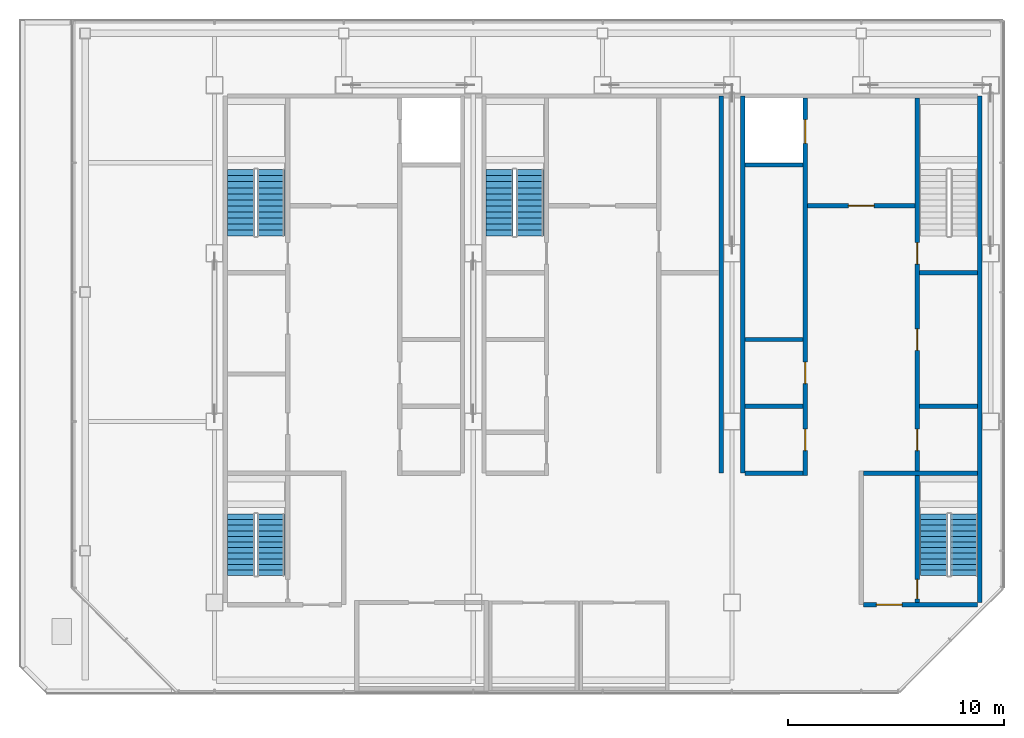
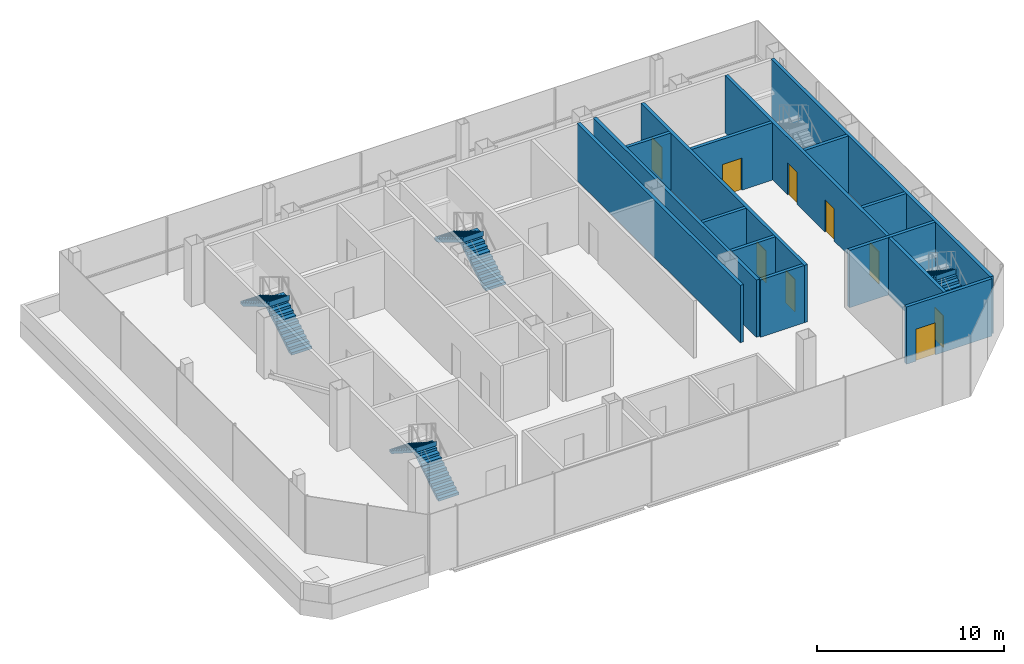
# One storey, part 9 of 11: 14 walls, 9 doors, 8 stair flights, 9 openings, 4 elements without a shape of their own.
"""IFC4 building model written with IfcOpenShell, lengths in metres."""

from ifc_helpers import new_model, si_unit, direction, frame, frame_2d, origin, place, context, subcontext, project, spatial, polyline, rectangle, outline, extrude, material, layer, layer_set, type_object, element, fill, aggregate, save


model = new_model("IFC4")

# Units and contexts
model_context = context("Model", 3, precision=1e-05, world=origin(), true_north=direction((0.0, 1.0)))
body_context = subcontext(model_context, "Body", "Model", "MODEL_VIEW")
ifc_project = project(units=[si_unit("LENGTHUNIT", "METRE"), si_unit("AREAUNIT", "SQUARE_METRE"), si_unit("VOLUMEUNIT", "CUBIC_METRE"), si_unit("PLANEANGLEUNIT", "RADIAN"), si_unit("MASSUNIT", "GRAM", prefix="KILO")], contexts=[model_context])

# Site, building, storey
site_placement = place(None, origin())
site = spatial("IfcSite", under=ifc_project, at=site_placement, CompositionType="ELEMENT")
building_placement = place(site_placement, origin())
building = spatial("IfcBuilding", under=site, at=building_placement, Name="Sorahane Residences", CompositionType="ELEMENT")
storey_placement = place(building_placement, frame((0.0, 0.0, 349.800048828125)))
storey = spatial("IfcBuildingStorey", under=building, at=storey_placement, Name="L83", CompositionType="ELEMENT", Elevation=349.800048828125)

# Walls
ifc_material_1 = material(Name="Concrete C30", Category="concrete")
ifc_layer_1 = layer(ifc_material_1, 0.199951171875)
ifc_layer_set_1 = layer_set([ifc_layer_1], Name="Core face wall 200 EI 180")
wall_type_1 = type_object("IfcWallType", Name="Core face wall 200 EI 180", PredefinedType="SOLIDWALL", material=ifc_layer_set_1)
wall_1_placement = place(storey_placement, frame((41.5, 21.60009765625, 0.0), z_axis=(0.0, 0.0, 1.0), x_axis=(0.0, 1.0, 0.0)))
element("IfcWall", 1, at=wall_1_placement, inside=storey, type_object=wall_type_1, Name="L83 core face wall", PredefinedType="SOLIDWALL", context=body_context, shape_type="SweptSolid", body=[
    extrude(rectangle(XDim=23.5, YDim=0.199951171875, at=frame_2d((11.75, 0.0))), origin(), (0.0, 0.0, 1.0), 3.75),
])
for number, where, z_axis, x_axis, name in (
    (2, (29.5, 27.60009765625, 0.0), (0.0, 0.0, 1.0), (0.0, 1.0, 0.0), "L83 core face wall"),
    (3, (30.5, 27.60009765625, 0.0), (0.0, 0.0, 1.0), (0.0, 1.0, 0.0), "L83 core face wall"),
):
    element("IfcWall", number, at=place(storey_placement, frame(where, z_axis=z_axis, x_axis=x_axis)), inside=storey, type_object=wall_type_1, Name=name, PredefinedType="SOLIDWALL", context=body_context, shape_type="SweptSolid", body=[
        extrude(rectangle(XDim=17.5, YDim=0.199951171875, at=frame_2d((8.75, 0.0))), origin(), (0.0, 0.0, 1.0), 3.75),
    ])

# Wall, opening, door
ifc_material_2 = material(Name="Concrete C30", Category="concrete")
ifc_layer_2 = layer(ifc_material_2, 0.199951171875)
ifc_layer_set_2 = layer_set([ifc_layer_2], Name="Front room wall 200 EI 120")
wall_type_2 = type_object("IfcWallType", Name="Front room wall 200 EI 120", PredefinedType="PARTITIONING", material=ifc_layer_set_2)
wall_2_placement = place(storey_placement, frame((33.5, 40.0, 0.0), z_axis=(0.0, 0.0, 1.0), x_axis=(1.0, 0.0, 0.0)))
wall_2 = element("IfcWall", 4, at=wall_2_placement, inside=storey, type_object=wall_type_2, Name="L83 front room wall", PredefinedType="PARTITIONING", context=body_context, shape_type="SweptSolid", body=[
    extrude(rectangle(XDim=5.0, YDim=0.199951171875, at=frame_2d((2.5, 0.0))), origin(), (0.0, 0.0, 1.0), 3.75),
])
opening_1_placement = place(wall_2_placement, frame((1.89990234375, 0.0, 0.0)))
opening_1 = element("IfcOpeningElement", 5, at=opening_1_placement, cuts=wall_2, Name="Opening L83-C05", PredefinedType="OPENING", context=body_context, shape_type="SweptSolid", body=[
    extrude(rectangle(XDim=1.199951171875, YDim=2.10009765625, at=frame_2d((0.60009765625, 1.050048828125))), frame((0.0, 0.10986328125, 0.0), z_axis=(0.0, -1.0, 0.0), x_axis=(1.0, 0.0, 0.0)), (0.0, 0.0, 1.0), 0.219970703125),
])
ifc_material_3 = material(Name="Steel", Category="steel")
door_type_1 = type_object("IfcDoorType", Name="Front room door 1200x2100 FD120", OperationType="NOTDEFINED", PredefinedType="DOOR", material=ifc_material_3)
door_1_placement = place(opening_1_placement, frame((1.199951171875, 0.0, 0.0), z_axis=(0.0, 0.0, 1.0), x_axis=(-1.0, 0.0, 0.0)))
door_1 = element("IfcDoor", 6, at=door_1_placement, inside=storey, type_object=door_type_1, Name="Front room door Firefighting lobby FF2 front room L83", OperationType="DOUBLE_DOOR_SINGLE_SWING", OverallHeight=2.10009765625, OverallWidth=1.199951171875, PredefinedType="DOOR", context=body_context, shape_type="SweptSolid", body=[
    extrude(rectangle(XDim=1.199951171875, YDim=2.10009765625, at=frame_2d((0.60009765625, 1.050048828125))), frame((0.0, 0.02490234375, 0.0), z_axis=(0.0, -1.0, 0.0), x_axis=(1.0, 0.0, 0.0)), (0.0, 0.0, 1.0), 0.050048828125),
])
fill(opening_1, door_1)

# Wall, openings, doors
ifc_material_4 = material(Name="Concrete C30", Category="concrete")
ifc_layer_3 = layer(ifc_material_4, 0.199951171875)
ifc_layer_set_3 = layer_set([ifc_layer_3], Name="Lift shaft wall 200 EI 120")
wall_type_3 = type_object("IfcWallType", Name="Lift shaft wall 200 EI 120", PredefinedType="SOLIDWALL", material=ifc_layer_set_3)
wall_3_placement = place(storey_placement, frame((33.39990234375, 27.5, 0.0), z_axis=(0.0, 0.0, 1.0), x_axis=(0.0, 1.0, 0.0)))
wall_3 = element("IfcWall", 7, at=wall_3_placement, inside=storey, type_object=wall_type_3, Name="L83 lift shaft wall", PredefinedType="SOLIDWALL", context=body_context, shape_type="SweptSolid", body=[
    extrude(rectangle(XDim=17.5, YDim=0.199951171875, at=frame_2d((8.75, 0.0))), origin(), (0.0, 0.0, 1.0), 3.75),
])
opening_2_placement = place(wall_3_placement, frame((15.39990234375, 0.0, 0.0)))
opening_2 = element("IfcOpeningElement", 8, at=opening_2_placement, cuts=wall_3, Name="Opening L83-C06", PredefinedType="OPENING", context=body_context, shape_type="SweptSolid", body=[
    extrude(rectangle(XDim=1.10009765625, YDim=2.10009765625, at=frame_2d((0.550048828125, 1.050048828125))), frame((0.0, 0.10986328125, 0.0), z_axis=(0.0, -1.0, 0.0), x_axis=(1.0, 0.0, 0.0)), (0.0, 0.0, 1.0), 0.219970703125),
])
opening_3_placement = place(wall_3_placement, frame((1.14990234375, 0.0, 0.0)))
opening_3 = element("IfcOpeningElement", 9, at=opening_3_placement, cuts=wall_3, Name="Opening L83-C12", PredefinedType="OPENING", context=body_context, shape_type="SweptSolid", body=[
    extrude(rectangle(XDim=1.0, YDim=2.10009765625, at=frame_2d((0.5, 1.050048828125))), frame((0.0, 0.10986328125, 0.0), z_axis=(0.0, -1.0, 0.0), x_axis=(1.0, 0.0, 0.0)), (0.0, 0.0, 1.0), 0.219970703125),
])
opening_4_placement = place(wall_3_placement, frame((4.25, 0.0, 0.0)))
opening_4 = element("IfcOpeningElement", 10, at=opening_4_placement, cuts=wall_3, Name="Opening L83-C13", PredefinedType="OPENING", context=body_context, shape_type="SweptSolid", body=[
    extrude(rectangle(XDim=1.0, YDim=2.10009765625, at=frame_2d((0.5, 1.050048828125))), frame((0.0, 0.10986328125, 0.0), z_axis=(0.0, -1.0, 0.0), x_axis=(1.0, 0.0, 0.0)), (0.0, 0.0, 1.0), 0.219970703125),
])
ifc_material_5 = material(Name="Aluminium and stainless steel", Category="steel")
door_type_2 = type_object("IfcDoorType", Name="Lift landing door 1100x2100 E 60", OperationType="NOTDEFINED", PredefinedType="DOOR", material=ifc_material_5)
door_2_placement = place(opening_2_placement, origin())
door_2 = element("IfcDoor", 11, at=door_2_placement, inside=storey, type_object=door_type_2, Name="Lift landing door FF2 L83", OperationType="DOUBLE_DOOR_SLIDING", OverallHeight=2.10009765625, OverallWidth=1.10009765625, PredefinedType="DOOR", context=body_context, shape_type="SweptSolid", body=[
    extrude(rectangle(XDim=1.10009765625, YDim=2.10009765625, at=frame_2d((0.550048828125, 1.050048828125))), frame((0.0, 0.02490234375, 0.0), z_axis=(0.0, -1.0, 0.0), x_axis=(1.0, 0.0, 0.0)), (0.0, 0.0, 1.0), 0.050048828125),
])
fill(opening_2, door_2)
ifc_material_6 = material(Name="Steel", Category="steel")
door_type_3 = type_object("IfcDoorType", Name="Service room door 1000x2100 FD60", OperationType="NOTDEFINED", PredefinedType="DOOR", material=ifc_material_6)
door_3_placement = place(opening_3_placement, origin())
door_3 = element("IfcDoor", 12, at=door_3_placement, inside=storey, type_object=door_type_3, Name="Service room door Linen store L83", OperationType="SINGLE_SWING_LEFT", OverallHeight=2.10009765625, OverallWidth=1.0, PredefinedType="DOOR", context=body_context, shape_type="SweptSolid", body=[
    extrude(rectangle(XDim=1.0, YDim=2.10009765625, at=frame_2d((0.5, 1.050048828125))), frame((0.0, 0.02490234375, 0.0), z_axis=(0.0, -1.0, 0.0), x_axis=(1.0, 0.0, 0.0)), (0.0, 0.0, 1.0), 0.050048828125),
])
fill(opening_3, door_3)
door_4_placement = place(opening_4_placement, origin())
door_4 = element("IfcDoor", 13, at=door_4_placement, inside=storey, type_object=door_type_3, Name="Service room door Linen store L83", OperationType="SINGLE_SWING_LEFT", OverallHeight=2.10009765625, OverallWidth=1.0, PredefinedType="DOOR", context=body_context, shape_type="SweptSolid", body=[
    extrude(rectangle(XDim=1.0, YDim=2.10009765625, at=frame_2d((0.5, 1.050048828125))), frame((0.0, 0.02490234375, 0.0), z_axis=(0.0, -1.0, 0.0), x_axis=(1.0, 0.0, 0.0)), (0.0, 0.0, 1.0), 0.050048828125),
])
fill(opening_4, door_4)

# Walls
wall_4_placement = place(storey_placement, frame((30.60009765625, 41.89990234375, 0.0), z_axis=(0.0, 0.0, 1.0), x_axis=(1.0, 0.0, 0.0)))
element("IfcWall", 14, at=wall_4_placement, inside=storey, type_object=wall_type_3, Name="L83 lift shaft wall", PredefinedType="SOLIDWALL", context=body_context, shape_type="SweptSolid", body=[
    extrude(rectangle(XDim=2.699951171875, YDim=0.199951171875, at=frame_2d((1.35009765625, 0.0))), origin(), (0.0, 0.0, 1.0), 3.75),
])
ifc_material_7 = material(Name="Concrete C30", Category="concrete")
ifc_layer_4 = layer(ifc_material_7, 0.199951171875)
ifc_layer_set_4 = layer_set([ifc_layer_4], Name="Service room partition 200 EI 60")
wall_type_4 = type_object("IfcWallType", Name="Service room partition 200 EI 60", PredefinedType="PARTITIONING", material=ifc_layer_set_4)
for number, where, z_axis, x_axis, name in (
    (15, (30.60009765625, 27.60009765625, 0.0), (0.0, 0.0, 1.0), (1.0, 0.0, 0.0), "L83 service room wall"),
    (16, (30.60009765625, 30.699951171875, 0.0), (0.0, 0.0, 1.0), (1.0, 0.0, 0.0), "L83 service room wall"),
    (17, (38.699951171875, 30.699951171875, 0.0), (0.0, 0.0, 1.0), (1.0, 0.0, 0.0), "L83 service room wall"),
    (18, (30.60009765625, 33.800048828125, 0.0), (0.0, 0.0, 1.0), (1.0, 0.0, 0.0), "L83 service room wall"),
):
    element("IfcWall", number, at=place(storey_placement, frame(where, z_axis=z_axis, x_axis=x_axis)), inside=storey, type_object=wall_type_4, Name=name, PredefinedType="PARTITIONING", context=body_context, shape_type="SweptSolid", body=[
        extrude(rectangle(XDim=2.699951171875, YDim=0.199951171875, at=frame_2d((1.35009765625, 0.0))), origin(), (0.0, 0.0, 1.0), 3.75),
    ])

# Wall, openings, doors
ifc_material_8 = material(Name="Concrete C30", Category="concrete")
ifc_layer_5 = layer(ifc_material_8, 0.199951171875)
ifc_layer_set_5 = layer_set([ifc_layer_5], Name="Stair enclosure wall 200 EI 120")
wall_type_5 = type_object("IfcWallType", Name="Stair enclosure wall 200 EI 120", PredefinedType="SOLIDWALL", material=ifc_layer_set_5)
wall_5_placement = place(storey_placement, frame((38.60009765625, 21.5, 0.0), z_axis=(0.0, 0.0, 1.0), x_axis=(0.0, 1.0, 0.0)))
wall_5 = element("IfcWall", 19, at=wall_5_placement, inside=storey, type_object=wall_type_5, Name="L83 stair enclosure wall", PredefinedType="SOLIDWALL", context=body_context, shape_type="SweptSolid", body=[
    extrude(rectangle(XDim=23.5, YDim=0.199951171875, at=frame_2d((11.75, 0.0))), origin(), (0.0, 0.0, 1.0), 3.75),
])
opening_5_placement = place(wall_5_placement, frame((7.14990234375, 0.0, 0.0)))
opening_5 = element("IfcOpeningElement", 20, at=opening_5_placement, cuts=wall_5, Name="Opening L83-C10", PredefinedType="OPENING", context=body_context, shape_type="SweptSolid", body=[
    extrude(rectangle(XDim=1.0, YDim=2.10009765625, at=frame_2d((0.5, 1.050048828125))), frame((0.0, 0.10986328125, 0.0), z_axis=(0.0, -1.0, 0.0), x_axis=(1.0, 0.0, 0.0)), (0.0, 0.0, 1.0), 0.219970703125),
])
opening_6_placement = place(wall_5_placement, frame((11.800048828125, 0.0, 0.0)))
opening_6 = element("IfcOpeningElement", 21, at=opening_6_placement, cuts=wall_5, Name="Opening L83-C11", PredefinedType="OPENING", context=body_context, shape_type="SweptSolid", body=[
    extrude(rectangle(XDim=1.0, YDim=2.10009765625, at=frame_2d((0.5, 1.050048828125))), frame((0.0, 0.10986328125, 0.0), z_axis=(0.0, -1.0, 0.0), x_axis=(1.0, 0.0, 0.0)), (0.0, 0.0, 1.0), 0.219970703125),
])
opening_7_placement = place(wall_5_placement, frame((15.800048828125, 0.0, 0.0)))
opening_7 = element("IfcOpeningElement", 22, at=opening_7_placement, cuts=wall_5, Name="Opening L83-C19", PredefinedType="OPENING", context=body_context, shape_type="SweptSolid", body=[
    extrude(rectangle(XDim=1.0, YDim=2.10009765625, at=frame_2d((0.5, 1.050048828125))), frame((0.0, 0.10986328125, 0.0), z_axis=(0.0, -1.0, 0.0), x_axis=(1.0, 0.0, 0.0)), (0.0, 0.0, 1.0), 0.219970703125),
])
opening_8_placement = place(wall_5_placement, frame((0.27490234375, 0.0, 0.0)))
opening_8 = element("IfcOpeningElement", 23, at=opening_8_placement, cuts=wall_5, Name="Opening L83-C22", PredefinedType="OPENING", context=body_context, shape_type="SweptSolid", body=[
    extrude(rectangle(XDim=0.89990234375, YDim=2.10009765625, at=frame_2d((0.449951171875, 1.050048828125))), frame((0.0, 0.10986328125, 0.0), z_axis=(0.0, -1.0, 0.0), x_axis=(1.0, 0.0, 0.0)), (0.0, 0.0, 1.0), 0.219970703125),
])
door_5_placement = place(opening_5_placement, frame((1.0, 0.0, 0.0), z_axis=(0.0, 0.0, 1.0), x_axis=(-1.0, 0.0, 0.0)))
door_5 = element("IfcDoor", 24, at=door_5_placement, inside=storey, type_object=door_type_3, Name="Service room door Linen store L83", OperationType="SINGLE_SWING_LEFT", OverallHeight=2.10009765625, OverallWidth=1.0, PredefinedType="DOOR", context=body_context, shape_type="SweptSolid", body=[
    extrude(rectangle(XDim=1.0, YDim=2.10009765625, at=frame_2d((0.5, 1.050048828125))), frame((0.0, 0.02490234375, 0.0), z_axis=(0.0, -1.0, 0.0), x_axis=(1.0, 0.0, 0.0)), (0.0, 0.0, 1.0), 0.050048828125),
])
fill(opening_5, door_5)
door_6_placement = place(opening_6_placement, frame((1.0, 0.0, 0.0), z_axis=(0.0, 0.0, 1.0), x_axis=(-1.0, 0.0, 0.0)))
door_6 = element("IfcDoor", 25, at=door_6_placement, inside=storey, type_object=door_type_3, Name="Service room door Linen store L83", OperationType="SINGLE_SWING_LEFT", OverallHeight=2.10009765625, OverallWidth=1.0, PredefinedType="DOOR", context=body_context, shape_type="SweptSolid", body=[
    extrude(rectangle(XDim=1.0, YDim=2.10009765625, at=frame_2d((0.5, 1.050048828125))), frame((0.0, 0.02490234375, 0.0), z_axis=(0.0, -1.0, 0.0), x_axis=(1.0, 0.0, 0.0)), (0.0, 0.0, 1.0), 0.050048828125),
])
fill(opening_6, door_6)
ifc_material_9 = material(Name="Steel", Category="steel")
door_type_4 = type_object("IfcDoorType", Name="Stair door 1000x2100 FD120", OperationType="NOTDEFINED", PredefinedType="DOOR", material=ifc_material_9)
door_7_placement = place(opening_7_placement, frame((1.0, 0.0, 0.0), z_axis=(0.0, 0.0, 1.0), x_axis=(-1.0, 0.0, 0.0)))
door_7 = element("IfcDoor", 26, at=door_7_placement, inside=storey, type_object=door_type_4, Name="Stair door S2 L83", OperationType="SINGLE_SWING_LEFT", OverallHeight=2.10009765625, OverallWidth=1.0, PredefinedType="DOOR", context=body_context, shape_type="SweptSolid", body=[
    extrude(rectangle(XDim=1.0, YDim=2.10009765625, at=frame_2d((0.5, 1.050048828125))), frame((0.0, 0.02490234375, 0.0), z_axis=(0.0, -1.0, 0.0), x_axis=(1.0, 0.0, 0.0)), (0.0, 0.0, 1.0), 0.050048828125),
])
fill(opening_7, door_7)
ifc_material_10 = material(Name="Steel", Category="steel")
door_type_5 = type_object("IfcDoorType", Name="Stair door 900x2100 FD120", OperationType="NOTDEFINED", PredefinedType="DOOR", material=ifc_material_10)
door_8_placement = place(opening_8_placement, frame((0.89990234375, 0.0, 0.0), z_axis=(0.0, 0.0, 1.0), x_axis=(-1.0, 0.0, 0.0)))
door_8 = element("IfcDoor", 27, at=door_8_placement, inside=storey, type_object=door_type_5, Name="Stair door S5 L83", OperationType="SINGLE_SWING_LEFT", OverallHeight=2.10009765625, OverallWidth=0.89990234375, PredefinedType="DOOR", context=body_context, shape_type="SweptSolid", body=[
    extrude(rectangle(XDim=0.89990234375, YDim=2.10009765625, at=frame_2d((0.449951171875, 1.050048828125))), frame((0.0, 0.02490234375, 0.0), z_axis=(0.0, -1.0, 0.0), x_axis=(1.0, 0.0, 0.0)), (0.0, 0.0, 1.0), 0.050048828125),
])
fill(opening_8, door_8)

# Wall, opening, door
wall_6_placement = place(storey_placement, frame((36.10009765625, 21.5, 0.0), z_axis=(0.0, 0.0, 1.0), x_axis=(1.0, 0.0, 0.0)))
wall_6 = element("IfcWall", 28, at=wall_6_placement, inside=storey, type_object=wall_type_5, Name="L83 stair enclosure wall", PredefinedType="SOLIDWALL", context=body_context, shape_type="SweptSolid", body=[
    extrude(rectangle(XDim=5.2998046875, YDim=0.199951171875, at=frame_2d((2.64990234375, 0.0))), origin(), (0.0, 0.0, 1.0), 3.75),
])
opening_9_placement = place(wall_6_placement, frame((0.60009765625, 0.0, 0.0)))
opening_9 = element("IfcOpeningElement", 29, at=opening_9_placement, cuts=wall_6, Name="Opening L83-C02", PredefinedType="OPENING", context=body_context, shape_type="SweptSolid", body=[
    extrude(rectangle(XDim=1.199951171875, YDim=2.10009765625, at=frame_2d((0.60009765625, 1.050048828125))), frame((0.0, 0.10986328125, 0.0), z_axis=(0.0, -1.0, 0.0), x_axis=(1.0, 0.0, 0.0)), (0.0, 0.0, 1.0), 0.219970703125),
])
ifc_material_11 = material(Name="Steel", Category="steel")
door_type_6 = type_object("IfcDoorType", Name="Stair front room door 1200x2100 FD120", OperationType="NOTDEFINED", PredefinedType="DOOR", material=ifc_material_11)
door_9_placement = place(opening_9_placement, frame((1.199951171875, 0.0, 0.0), z_axis=(0.0, 0.0, 1.0), x_axis=(-1.0, 0.0, 0.0)))
door_9 = element("IfcDoor", 30, at=door_9_placement, inside=storey, type_object=door_type_6, Name="Stair front room door Stair S5 front room L83", OperationType="SINGLE_SWING_RIGHT", OverallHeight=2.10009765625, OverallWidth=1.199951171875, PredefinedType="DOOR", context=body_context, shape_type="SweptSolid", body=[
    extrude(rectangle(XDim=1.199951171875, YDim=2.10009765625, at=frame_2d((0.60009765625, 1.050048828125))), frame((0.0, 0.02490234375, 0.0), z_axis=(0.0, -1.0, 0.0), x_axis=(1.0, 0.0, 0.0)), (0.0, 0.0, 1.0), 0.050048828125),
])
fill(opening_9, door_9)

# Walls
wall_7_placement = place(storey_placement, frame((36.10009765625, 27.60009765625, 0.0), z_axis=(0.0, 0.0, 1.0), x_axis=(1.0, 0.0, 0.0)))
element("IfcWall", 31, at=wall_7_placement, inside=storey, type_object=wall_type_5, Name="L83 stair enclosure wall", PredefinedType="SOLIDWALL", context=body_context, shape_type="SweptSolid", body=[
    extrude(rectangle(XDim=5.2998046875, YDim=0.199951171875, at=frame_2d((2.64990234375, 0.0))), origin(), (0.0, 0.0, 1.0), 3.75),
])
wall_8_placement = place(storey_placement, frame((38.699951171875, 36.89990234375, 0.0), z_axis=(0.0, 0.0, 1.0), x_axis=(1.0, 0.0, 0.0)))
element("IfcWall", 32, at=wall_8_placement, inside=storey, type_object=wall_type_5, Name="L83 stair enclosure wall", PredefinedType="SOLIDWALL", context=body_context, shape_type="SweptSolid", body=[
    extrude(rectangle(XDim=2.699951171875, YDim=0.199951171875, at=frame_2d((1.35009765625, 0.0))), origin(), (0.0, 0.0, 1.0), 3.75),
])

# Stair, stair flights
ifc_material_12 = material(Name="Concrete C40", Category="concrete")
stair_type = type_object("IfcStairType", Name="Dog-leg stair 1250 Concrete C40", PredefinedType="HALF_TURN_STAIR", material=ifc_material_12)
stair_1_placement = place(storey_placement, origin())
stair_1 = element("IfcStair", 33, at=stair_1_placement, inside=storey, type_object=stair_type, Name="L83 Stair S1", PredefinedType="HALF_TURN_STAIR")
ifc_material_13 = material(Name="Concrete C40", Category="concrete")
stair_flight_type = type_object("IfcStairFlightType", Name="Stair flight 1250 Concrete C40", PredefinedType="STRAIGHT", material=ifc_material_13)
stair_flight_1_placement = place(storey_placement, frame((8.625, 38.60009765625, 0.0), z_axis=(0.0, 0.0, 1.0), x_axis=(0.0, 1.0, 0.0)))
stair_flight_1 = element("IfcStairFlight", 34, at=stair_flight_1_placement, type_object=stair_flight_type, Name="S1 flight 1", NumberOfRisers=12, NumberOfTreads=11, PredefinedType="STRAIGHT", RiserHeight=0.166666667, TreadLength=0.28, context=body_context, shape_type="SweptSolid", body=[
    extrude(outline(polyline([(-0.00146484375, 0.0), (-0.00146484375, 0.166748046875), (0.0, 0.166748046875), (0.280029296875, 0.166748046875), (0.280029296875, 0.333251953125), (0.56005859375, 0.333251953125), (0.56005859375, 0.5), (0.840087890625, 0.5), (0.840087890625, 0.666748046875), (1.1201171875, 0.666748046875), (1.1201171875, 0.833251953125), (1.39990234375, 0.833251953125), (1.39990234375, 1.0), (1.679931640625, 1.0), (1.679931640625, 1.166748046875), (1.9599609375, 1.166748046875), (1.9599609375, 1.333251953125), (2.239990234375, 1.333251953125), (2.239990234375, 1.5), (2.52001953125, 1.5), (2.52001953125, 1.666748046875), (2.800048828125, 1.666748046875), (2.800048828125, 1.833251953125), (3.080078125, 1.833251953125), (3.080078125, 2.0), (3.080078125, 1.658935546875), (2.86572265625, 1.53125), (2.651123046875, 1.403564453125), (2.436767578125, 1.276123046875), (2.222412109375, 1.1484375), (2.008056640625, 1.020751953125), (1.793701171875, 0.893310546875), (1.579345703125, 0.765625), (1.364990234375, 0.637939453125), (1.150634765625, 0.510498046875), (0.936279296875, 0.3828125), (0.721923828125, 0.255126953125), (0.507568359375, 0.127685546875), (0.29296875, 0.0), (-0.00146484375, 0.0)])), frame((0.0, 0.625, 0.0), z_axis=(0.0, -1.0, 0.0), x_axis=(1.0, 0.0, 0.0)), (0.0, 0.0, 1.0), 1.25),
])
stair_flight_2_placement = place(storey_placement, frame((7.22509765625, 41.679931640625, 2.0), z_axis=(0.0, 0.0, 1.0), x_axis=(0.0, -1.0, 0.0)))
stair_flight_2 = element("IfcStairFlight", 35, at=stair_flight_2_placement, type_object=stair_flight_type, Name="S1 flight 2", NumberOfRisers=12, NumberOfTreads=11, PredefinedType="STRAIGHT", RiserHeight=0.166666667, TreadLength=0.28, context=body_context, shape_type="SweptSolid", body=[
    extrude(outline(polyline([(0.0, 0.0), (0.0, 0.166748046875), (0.280029296875, 0.166748046875), (0.280029296875, 0.333251953125), (0.56005859375, 0.333251953125), (0.56005859375, 0.5), (0.840087890625, 0.5), (0.840087890625, 0.666748046875), (1.1201171875, 0.666748046875), (1.1201171875, 0.833251953125), (1.39990234375, 0.833251953125), (1.39990234375, 1.0), (1.679931640625, 1.0), (1.679931640625, 1.166748046875), (1.9599609375, 1.166748046875), (1.9599609375, 1.333251953125), (2.239990234375, 1.333251953125), (2.239990234375, 1.5), (2.52001953125, 1.5), (2.52001953125, 1.666748046875), (2.800048828125, 1.666748046875), (2.800048828125, 1.833251953125), (3.080078125, 1.833251953125), (3.080078125, 2.0), (3.08154296875, 2.0), (3.08154296875, 1.658935546875), (2.866943359375, 1.53125), (2.652587890625, 1.403564453125), (2.43798828125, 1.276123046875), (2.2236328125, 1.1484375), (2.009033203125, 1.020751953125), (1.79443359375, 0.893310546875), (1.580078125, 0.765625), (1.365478515625, 0.637939453125), (1.151123046875, 0.510498046875), (0.9365234375, 0.3828125), (0.72216796875, 0.255126953125), (0.507568359375, 0.127685546875), (0.29296875, 0.0), (0.0, 0.0)])), frame((0.0, 0.625, 0.0), z_axis=(0.0, -1.0, 0.0), x_axis=(1.0, 0.0, 0.0)), (0.0, 0.0, 1.0), 1.25),
])
aggregate(stair_1, [stair_flight_1, stair_flight_2])

stair_2_placement = place(storey_placement, origin())
stair_2 = element("IfcStair", 36, at=stair_2_placement, inside=storey, type_object=stair_type, Name="L83 Stair S3", PredefinedType="HALF_TURN_STAIR")
stair_flight_3_placement = place(storey_placement, frame((20.625, 38.60009765625, 0.0), z_axis=(0.0, 0.0, 1.0), x_axis=(0.0, 1.0, 0.0)))
stair_flight_3 = element("IfcStairFlight", 37, at=stair_flight_3_placement, type_object=stair_flight_type, Name="S3 flight 1", NumberOfRisers=12, NumberOfTreads=11, PredefinedType="STRAIGHT", RiserHeight=0.166666667, TreadLength=0.28, context=body_context, shape_type="SweptSolid", body=[
    extrude(outline(polyline([(-0.00146484375, 0.0), (-0.00146484375, 0.166748046875), (0.0, 0.166748046875), (0.280029296875, 0.166748046875), (0.280029296875, 0.333251953125), (0.56005859375, 0.333251953125), (0.56005859375, 0.5), (0.840087890625, 0.5), (0.840087890625, 0.666748046875), (1.1201171875, 0.666748046875), (1.1201171875, 0.833251953125), (1.39990234375, 0.833251953125), (1.39990234375, 1.0), (1.679931640625, 1.0), (1.679931640625, 1.166748046875), (1.9599609375, 1.166748046875), (1.9599609375, 1.333251953125), (2.239990234375, 1.333251953125), (2.239990234375, 1.5), (2.52001953125, 1.5), (2.52001953125, 1.666748046875), (2.800048828125, 1.666748046875), (2.800048828125, 1.833251953125), (3.080078125, 1.833251953125), (3.080078125, 2.0), (3.080078125, 1.658935546875), (2.86572265625, 1.53125), (2.651123046875, 1.403564453125), (2.436767578125, 1.276123046875), (2.222412109375, 1.1484375), (2.008056640625, 1.020751953125), (1.793701171875, 0.893310546875), (1.579345703125, 0.765625), (1.364990234375, 0.637939453125), (1.150634765625, 0.510498046875), (0.936279296875, 0.3828125), (0.721923828125, 0.255126953125), (0.507568359375, 0.127685546875), (0.29296875, 0.0), (-0.00146484375, 0.0)])), frame((0.0, 0.625, 0.0), z_axis=(0.0, -1.0, 0.0), x_axis=(1.0, 0.0, 0.0)), (0.0, 0.0, 1.0), 1.25),
])
stair_flight_4_placement = place(storey_placement, frame((19.22509765625, 41.679931640625, 2.0), z_axis=(0.0, 0.0, 1.0), x_axis=(0.0, -1.0, 0.0)))
stair_flight_4 = element("IfcStairFlight", 38, at=stair_flight_4_placement, type_object=stair_flight_type, Name="S3 flight 2", NumberOfRisers=12, NumberOfTreads=11, PredefinedType="STRAIGHT", RiserHeight=0.166666667, TreadLength=0.28, context=body_context, shape_type="SweptSolid", body=[
    extrude(outline(polyline([(0.0, 0.0), (0.0, 0.166748046875), (0.280029296875, 0.166748046875), (0.280029296875, 0.333251953125), (0.56005859375, 0.333251953125), (0.56005859375, 0.5), (0.840087890625, 0.5), (0.840087890625, 0.666748046875), (1.1201171875, 0.666748046875), (1.1201171875, 0.833251953125), (1.39990234375, 0.833251953125), (1.39990234375, 1.0), (1.679931640625, 1.0), (1.679931640625, 1.166748046875), (1.9599609375, 1.166748046875), (1.9599609375, 1.333251953125), (2.239990234375, 1.333251953125), (2.239990234375, 1.5), (2.52001953125, 1.5), (2.52001953125, 1.666748046875), (2.800048828125, 1.666748046875), (2.800048828125, 1.833251953125), (3.080078125, 1.833251953125), (3.080078125, 2.0), (3.08154296875, 2.0), (3.08154296875, 1.658935546875), (2.866943359375, 1.53125), (2.652587890625, 1.403564453125), (2.43798828125, 1.276123046875), (2.2236328125, 1.1484375), (2.009033203125, 1.020751953125), (1.79443359375, 0.893310546875), (1.580078125, 0.765625), (1.365478515625, 0.637939453125), (1.151123046875, 0.510498046875), (0.9365234375, 0.3828125), (0.72216796875, 0.255126953125), (0.507568359375, 0.127685546875), (0.29296875, 0.0), (0.0, 0.0)])), frame((0.0, 0.625, 0.0), z_axis=(0.0, -1.0, 0.0), x_axis=(1.0, 0.0, 0.0)), (0.0, 0.0, 1.0), 1.25),
])
aggregate(stair_2, [stair_flight_3, stair_flight_4])

stair_3_placement = place(storey_placement, origin())
stair_3 = element("IfcStair", 39, at=stair_3_placement, inside=storey, type_object=stair_type, Name="L83 Stair S4", PredefinedType="HALF_TURN_STAIR")
stair_flight_5_placement = place(storey_placement, frame((8.625, 22.85009765625, 0.0), z_axis=(0.0, 0.0, 1.0), x_axis=(0.0, 1.0, 0.0)))
stair_flight_5 = element("IfcStairFlight", 40, at=stair_flight_5_placement, type_object=stair_flight_type, Name="S4 flight 1", NumberOfRisers=12, NumberOfTreads=11, PredefinedType="STRAIGHT", RiserHeight=0.166666667, TreadLength=0.26, context=body_context, shape_type="SweptSolid", body=[
    extrude(outline(polyline([(-0.00146484375, 0.0), (-0.00146484375, 0.166748046875), (0.0, 0.166748046875), (0.260009765625, 0.166748046875), (0.260009765625, 0.333251953125), (0.52001953125, 0.333251953125), (0.52001953125, 0.5), (0.780029296875, 0.5), (0.780029296875, 0.666748046875), (1.0400390625, 0.666748046875), (1.0400390625, 0.833251953125), (1.300048828125, 0.833251953125), (1.300048828125, 1.0), (1.56005859375, 1.0), (1.56005859375, 1.166748046875), (1.820068359375, 1.166748046875), (1.820068359375, 1.333251953125), (2.080078125, 1.333251953125), (2.080078125, 1.5), (2.340087890625, 1.5), (2.340087890625, 1.666748046875), (2.60009765625, 1.666748046875), (2.60009765625, 1.833251953125), (2.860107421875, 1.833251953125), (2.860107421875, 2.0), (2.860107421875, 1.690673828125), (2.6572265625, 1.560546875), (2.454345703125, 1.4306640625), (2.25146484375, 1.300537109375), (2.048583984375, 1.17041015625), (1.845703125, 1.040283203125), (1.642822265625, 0.910400390625), (1.43994140625, 0.7802734375), (1.237060546875, 0.650146484375), (1.0341796875, 0.520263671875), (0.831298828125, 0.39013671875), (0.62841796875, 0.260009765625), (0.425537109375, 0.130126953125), (0.22265625, 0.0), (-0.00146484375, 0.0)])), frame((0.0, 0.625, 0.0), z_axis=(0.0, -1.0, 0.0), x_axis=(1.0, 0.0, 0.0)), (0.0, 0.0, 1.0), 1.25),
])
stair_flight_6_placement = place(storey_placement, frame((7.22509765625, 25.7099609375, 2.0), z_axis=(0.0, 0.0, 1.0), x_axis=(0.0, -1.0, 0.0)))
stair_flight_6 = element("IfcStairFlight", 41, at=stair_flight_6_placement, type_object=stair_flight_type, Name="S4 flight 2", NumberOfRisers=12, NumberOfTreads=11, PredefinedType="STRAIGHT", RiserHeight=0.166666667, TreadLength=0.26, context=body_context, shape_type="SweptSolid", body=[
    extrude(outline(polyline([(0.0, 0.0), (0.0, 0.166748046875), (0.260009765625, 0.166748046875), (0.260009765625, 0.333251953125), (0.52001953125, 0.333251953125), (0.52001953125, 0.5), (0.780029296875, 0.5), (0.780029296875, 0.666748046875), (1.0400390625, 0.666748046875), (1.0400390625, 0.833251953125), (1.300048828125, 0.833251953125), (1.300048828125, 1.0), (1.56005859375, 1.0), (1.56005859375, 1.166748046875), (1.820068359375, 1.166748046875), (1.820068359375, 1.333251953125), (2.080078125, 1.333251953125), (2.080078125, 1.5), (2.340087890625, 1.5), (2.340087890625, 1.666748046875), (2.60009765625, 1.666748046875), (2.60009765625, 1.833251953125), (2.860107421875, 1.833251953125), (2.860107421875, 2.0), (2.861572265625, 2.0), (2.861572265625, 1.690673828125), (2.658447265625, 1.560546875), (2.45556640625, 1.4306640625), (2.25244140625, 1.300537109375), (2.049560546875, 1.17041015625), (1.846435546875, 1.040283203125), (1.6435546875, 0.910400390625), (1.4404296875, 0.7802734375), (1.237548828125, 0.650146484375), (1.03466796875, 0.520263671875), (0.83154296875, 0.39013671875), (0.628662109375, 0.260009765625), (0.425537109375, 0.130126953125), (0.22265625, 0.0), (0.0, 0.0)])), frame((0.0, 0.625, 0.0), z_axis=(0.0, -1.0, 0.0), x_axis=(1.0, 0.0, 0.0)), (0.0, 0.0, 1.0), 1.25),
])
aggregate(stair_3, [stair_flight_5, stair_flight_6])

stair_4_placement = place(storey_placement, origin())
stair_4 = element("IfcStair", 42, at=stair_4_placement, inside=storey, type_object=stair_type, Name="L83 Stair S5", PredefinedType="HALF_TURN_STAIR")
stair_flight_7_placement = place(storey_placement, frame((40.77490234375, 22.85009765625, 0.0), z_axis=(0.0, 0.0, 1.0), x_axis=(0.0, 1.0, 0.0)))
stair_flight_7 = element("IfcStairFlight", 43, at=stair_flight_7_placement, type_object=stair_flight_type, Name="S5 flight 1", NumberOfRisers=12, NumberOfTreads=11, PredefinedType="STRAIGHT", RiserHeight=0.166666667, TreadLength=0.26, context=body_context, shape_type="SweptSolid", body=[
    extrude(outline(polyline([(-0.00146484375, 0.0), (-0.00146484375, 0.166748046875), (0.0, 0.166748046875), (0.260009765625, 0.166748046875), (0.260009765625, 0.333251953125), (0.52001953125, 0.333251953125), (0.52001953125, 0.5), (0.780029296875, 0.5), (0.780029296875, 0.666748046875), (1.0400390625, 0.666748046875), (1.0400390625, 0.833251953125), (1.300048828125, 0.833251953125), (1.300048828125, 1.0), (1.56005859375, 1.0), (1.56005859375, 1.166748046875), (1.820068359375, 1.166748046875), (1.820068359375, 1.333251953125), (2.080078125, 1.333251953125), (2.080078125, 1.5), (2.340087890625, 1.5), (2.340087890625, 1.666748046875), (2.60009765625, 1.666748046875), (2.60009765625, 1.833251953125), (2.860107421875, 1.833251953125), (2.860107421875, 2.0), (2.860107421875, 1.690673828125), (2.6572265625, 1.560546875), (2.454345703125, 1.4306640625), (2.25146484375, 1.300537109375), (2.048583984375, 1.17041015625), (1.845703125, 1.040283203125), (1.642822265625, 0.910400390625), (1.43994140625, 0.7802734375), (1.237060546875, 0.650146484375), (1.0341796875, 0.520263671875), (0.831298828125, 0.39013671875), (0.62841796875, 0.260009765625), (0.425537109375, 0.130126953125), (0.22265625, 0.0), (-0.00146484375, 0.0)])), frame((0.0, 0.625, 0.0), z_axis=(0.0, -1.0, 0.0), x_axis=(1.0, 0.0, 0.0)), (0.0, 0.0, 1.0), 1.25),
])
stair_flight_8_placement = place(storey_placement, frame((39.375, 25.7099609375, 2.0), z_axis=(0.0, 0.0, 1.0), x_axis=(0.0, -1.0, 0.0)))
stair_flight_8 = element("IfcStairFlight", 44, at=stair_flight_8_placement, type_object=stair_flight_type, Name="S5 flight 2", NumberOfRisers=12, NumberOfTreads=11, PredefinedType="STRAIGHT", RiserHeight=0.166666667, TreadLength=0.26, context=body_context, shape_type="SweptSolid", body=[
    extrude(outline(polyline([(0.0, 0.0), (0.0, 0.166748046875), (0.260009765625, 0.166748046875), (0.260009765625, 0.333251953125), (0.52001953125, 0.333251953125), (0.52001953125, 0.5), (0.780029296875, 0.5), (0.780029296875, 0.666748046875), (1.0400390625, 0.666748046875), (1.0400390625, 0.833251953125), (1.300048828125, 0.833251953125), (1.300048828125, 1.0), (1.56005859375, 1.0), (1.56005859375, 1.166748046875), (1.820068359375, 1.166748046875), (1.820068359375, 1.333251953125), (2.080078125, 1.333251953125), (2.080078125, 1.5), (2.340087890625, 1.5), (2.340087890625, 1.666748046875), (2.60009765625, 1.666748046875), (2.60009765625, 1.833251953125), (2.860107421875, 1.833251953125), (2.860107421875, 2.0), (2.861572265625, 2.0), (2.861572265625, 1.690673828125), (2.658447265625, 1.560546875), (2.45556640625, 1.4306640625), (2.25244140625, 1.300537109375), (2.049560546875, 1.17041015625), (1.846435546875, 1.040283203125), (1.6435546875, 0.910400390625), (1.4404296875, 0.7802734375), (1.237548828125, 0.650146484375), (1.03466796875, 0.520263671875), (0.83154296875, 0.39013671875), (0.628662109375, 0.260009765625), (0.425537109375, 0.130126953125), (0.22265625, 0.0), (0.0, 0.0)])), frame((0.0, 0.625, 0.0), z_axis=(0.0, -1.0, 0.0), x_axis=(1.0, 0.0, 0.0)), (0.0, 0.0, 1.0), 1.25),
])
aggregate(stair_4, [stair_flight_7, stair_flight_8])

save(model, "model.ifc")
